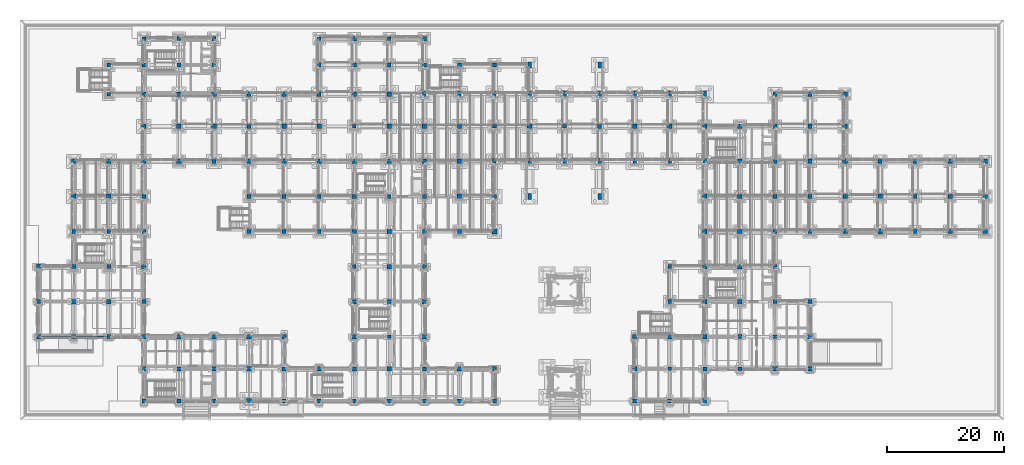
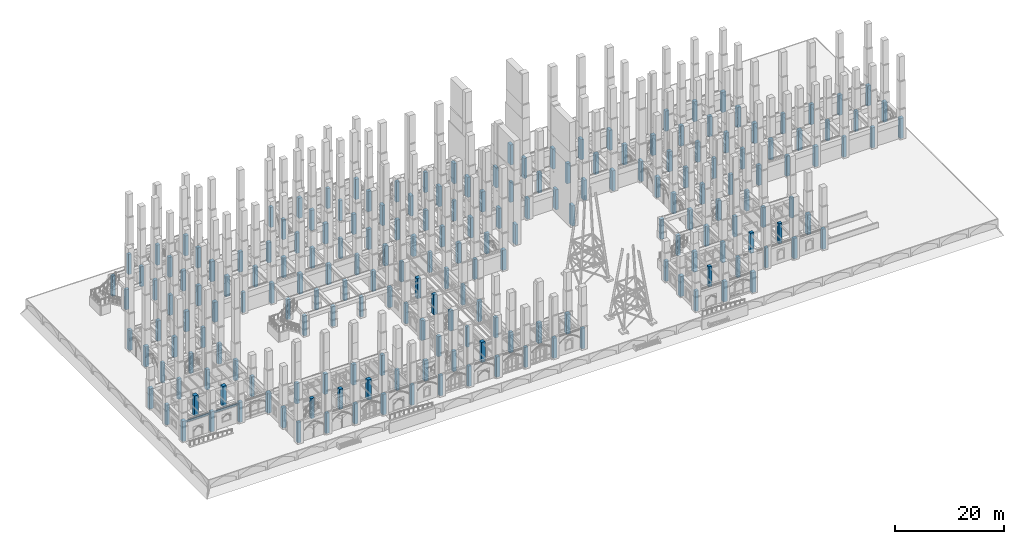
# One storey, part 15 of 135: 201 columns, 2 beams.
"""IFC4 building model written with IfcOpenShell, lengths in metres."""

from ifc_helpers import new_model, si_unit, direction, frame, origin, origin_2d, place, context, subcontext, project, spatial, rectangle, i_section, extrude, material, material_profile, profile_set, type_object, element, save


model = new_model("IFC4")

# Units and contexts
model_context = context("Model", 3, precision=1e-05, world=origin(), true_north=direction((0.0, 1.0)))
body_context = subcontext(model_context, "Body", "Model", "MODEL_VIEW")
ifc_project = project(units=[si_unit("LENGTHUNIT", "METRE"), si_unit("AREAUNIT", "SQUARE_METRE"), si_unit("VOLUMEUNIT", "CUBIC_METRE"), si_unit("PLANEANGLEUNIT", "RADIAN"), si_unit("MASSUNIT", "GRAM", prefix="KILO")], contexts=[model_context])

# Site, building, storey
site_placement = place(None, origin())
site = spatial("IfcSite", under=ifc_project, at=site_placement, CompositionType="ELEMENT")
building_placement = place(site_placement, origin())
building = spatial("IfcBuilding", under=site, at=building_placement, Name="Cumevento Cable Car Station", CompositionType="ELEMENT")
storey_placement = place(building_placement, origin())
storey = spatial("IfcBuildingStorey", under=building, at=storey_placement, Name="L01", CompositionType="ELEMENT", Elevation=0.0)

# Columns
ifc_material_1 = material(Name="Concrete C40/50", Category="concrete")
ifc_material_profile_1 = material_profile(ifc_material_1, rectangle(XDim=0.60009765625, YDim=1.050048828125, at=origin_2d()), Name="RC600x1050")
ifc_profile_set_1 = profile_set([ifc_material_profile_1], Name="Concrete C40/50")
column_type_1 = type_object("IfcColumnType", Name="Buttress Pilaster P-BT1050 RC600x1050", PredefinedType="PILASTER", material=ifc_profile_set_1)
for number, where, z_axis, x_axis, name in (
    (1, (70.0, 56.5, 0.0), (0.0, 0.0, 1.0), (1.0, 0.0, 0.0), "Column P-BT1050 L01 (70.0,56.5)"),
    (2, (76.0, 56.5, 0.0), (0.0, 0.0, 1.0), (1.0, 0.0, 0.0), "Column P-BT1050 L01 (76.0,56.5)"),
    (3, (82.0, 45.0, 0.0), (0.0, 0.0, 1.0), (1.0, 0.0, 0.0), "Column P-BT1050 L01 (82.0,45.0)"),
    (4, (82.0, 56.5, 0.0), (0.0, 0.0, 1.0), (1.0, 0.0, 0.0), "Column P-BT1050 L01 (82.0,56.5)"),
    (5, (88.0, 45.0, 0.0), (0.0, 0.0, 1.0), (1.0, 0.0, 0.0), "Column P-BT1050 L01 (88.0,45.0)"),
    (6, (88.0, 56.5, 0.0), (0.0, 0.0, 1.0), (1.0, 0.0, 0.0), "Column P-BT1050 L01 (88.0,56.5)"),
    (7, (94.0, 45.0, 0.0), (0.0, 0.0, 1.0), (1.0, 0.0, 0.0), "Column P-BT1050 L01 (94.0,45.0)"),
    (8, (94.0, 56.5, 0.0), (0.0, 0.0, 1.0), (1.0, 0.0, 0.0), "Column P-BT1050 L01 (94.0,56.5)"),
    (9, (100.0, 45.0, 0.0), (0.0, 0.0, 1.0), (1.0, 0.0, 0.0), "Column P-BT1050 L01 (100.0,45.0)"),
    (10, (100.0, 56.5, 0.0), (0.0, 0.0, 1.0), (1.0, 0.0, 0.0), "Column P-BT1050 L01 (100.0,56.5)"),
    (11, (106.0, 45.0, 0.0), (0.0, 0.0, 1.0), (1.0, 0.0, 0.0), "Column P-BT1050 L01 (106.0,45.0)"),
    (12, (106.0, 56.5, 0.0), (0.0, 0.0, 1.0), (1.0, 0.0, 0.0), "Column P-BT1050 L01 (106.0,56.5)"),
    (13, (112.0, 45.0, 0.0), (0.0, 0.0, 1.0), (1.0, 0.0, 0.0), "Column P-BT1050 L01 (112.0,45.0)"),
    (14, (112.0, 56.5, 0.0), (0.0, 0.0, 1.0), (1.0, 0.0, 0.0), "Column P-BT1050 L01 (112.0,56.5)"),
    (15, (118.0, 45.0, 0.0), (0.0, 0.0, 1.0), (1.0, 0.0, 0.0), "Column P-BT1050 L01 (118.0,45.0)"),
    (16, (118.0, 56.5, 0.0), (0.0, 0.0, 1.0), (1.0, 0.0, 0.0), "Column P-BT1050 L01 (118.0,56.5)"),
    (17, (88.0, 61.5, 0.0), (0.0, 0.0, 1.0), (1.0, 0.0, 0.0), "Portal/Terrace Column P-BT1050 L01 (88.0,61.5)"),
    (18, (100.0, 61.5, 0.0), (0.0, 0.0, 1.0), (1.0, 0.0, 0.0), "Portal/Terrace Column P-BT1050 L01 (100.0,61.5)"),
    (19, (88.0, 39.0, 0.0), (0.0, 0.0, 1.0), (1.0, 0.0, 0.0), "Portal/Terrace Column P-BT1050 L01 (88.0,39.0)"),
    (20, (100.0, 39.0, 0.0), (0.0, 0.0, 1.0), (1.0, 0.0, 0.0), "Portal/Terrace Column P-BT1050 L01 (100.0,39.0)"),
):
    element("IfcColumn", number, at=place(storey_placement, frame(where, z_axis=z_axis, x_axis=x_axis)), inside=storey, type_object=column_type_1, Name=name, PredefinedType="PILASTER", context=body_context, shape_type="SweptSolid", body=[
        extrude(rectangle(XDim=0.60009765625, YDim=1.050048828125, at=origin_2d()), origin(), (0.0, 0.0, 1.0), 4.5),
    ])
ifc_material_2 = material(Name="Concrete C40/50", Category="concrete")
ifc_material_profile_2 = material_profile(ifc_material_2, rectangle(XDim=0.64990234375, YDim=0.64990234375, at=origin_2d()), Name="RC650x650")
ifc_profile_set_2 = profile_set([ifc_material_profile_2], Name="Concrete C40/50")
column_type_2 = type_object("IfcColumnType", Name="Column C-RC650 RC650x650", PredefinedType="COLUMN", material=ifc_profile_set_2)
for number, where, z_axis, x_axis, name in (
    (21, (10.0, 33.0, 0.0), (0.0, 0.0, 1.0), (1.0, 0.0, 0.0), "Column C-RC650 L01 (10.0,33.0)"),
    (22, (16.0, 33.0, 0.0), (0.0, 0.0, 1.0), (1.0, 0.0, 0.0), "Column C-RC650 L01 (16.0,33.0)"),
    (23, (22.0, 21.0, 0.0), (0.0, 0.0, 1.0), (1.0, 0.0, 0.0), "Column C-RC650 L01 (22.0,21.0)"),
    (24, (22.0, 39.0, 0.0), (0.0, 0.0, 1.0), (1.0, 0.0, 0.0), "Column C-RC650 L01 (22.0,39.0)"),
    (25, (22.0, 61.5, 0.0), (0.0, 0.0, 1.0), (1.0, 0.0, 0.0), "Column C-RC650 L01 (22.0,61.5)"),
    (26, (22.0, 66.0, 0.0), (0.0, 0.0, 1.0), (1.0, 0.0, 0.0), "Column C-RC650 L01 (22.0,66.0)"),
    (27, (28.0, 4.0, 0.0), (0.0, 0.0, 1.0), (1.0, 0.0, 0.0), "Column C-RC650 L01 (28.0,4.0)"),
    (28, (34.0, 45.0, 0.0), (0.0, 0.0, 1.0), (1.0, 0.0, 0.0), "Column C-RC650 L01 (34.0,45.0)"),
    (29, (46.0, 4.0, 0.0), (0.0, 0.0, 1.0), (1.0, 0.0, 0.0), "Column C-RC650 L01 (46.0,4.0)"),
    (30, (52.0, 61.5, 0.0), (0.0, 0.0, 1.0), (1.0, 0.0, 0.0), "Column C-RC650 L01 (52.0,61.5)"),
    (31, (52.0, 66.0, 0.0), (0.0, 0.0, 1.0), (1.0, 0.0, 0.0), "Column C-RC650 L01 (52.0,66.0)"),
    (32, (58.0, 4.0, 0.0), (0.0, 0.0, 1.0), (1.0, 0.0, 0.0), "Column C-RC650 L01 (58.0,4.0)"),
    (33, (58.0, 27.0, 0.0), (0.0, 0.0, 1.0), (1.0, 0.0, 0.0), "Column C-RC650 L01 (58.0,27.0)"),
    (34, (58.0, 51.0, 0.0), (0.0, 0.0, 1.0), (1.0, 0.0, 0.0), "Column C-RC650 L01 (58.0,51.0)"),
    (35, (64.0, 15.0, 0.0), (0.0, 0.0, 1.0), (1.0, 0.0, 0.0), "Column C-RC650 L01 (64.0,15.0)"),
    (36, (64.0, 39.0, 0.0), (0.0, 0.0, 1.0), (1.0, 0.0, 0.0), "Column C-RC650 L01 (64.0,39.0)"),
    (37, (64.0, 61.5, 0.0), (0.0, 0.0, 1.0), (1.0, 0.0, 0.0), "Column C-RC650 L01 (64.0,61.5)"),
    (38, (64.0, 66.0, 0.0), (0.0, 0.0, 1.0), (1.0, 0.0, 0.0), "Column C-RC650 L01 (64.0,66.0)"),
    (39, (70.0, 4.0, 0.0), (0.0, 0.0, 1.0), (1.0, 0.0, 0.0), "Column C-RC650 L01 (70.0,4.0)"),
    (40, (70.0, 27.0, 0.0), (0.0, 0.0, 1.0), (1.0, 0.0, 0.0), "Column C-RC650 L01 (70.0,27.0)"),
    (41, (70.0, 39.0, 0.0), (0.0, 0.0, 1.0), (1.0, 0.0, 0.0), "Column C-RC650 L01 (70.0,39.0)"),
    (42, (76.0, 33.0, 0.0), (0.0, 0.0, 1.0), (1.0, 0.0, 0.0), "Column C-RC650 L01 (76.0,33.0)"),
    (43, (82.0, 51.0, 0.0), (0.0, 0.0, 1.0), (1.0, 0.0, 0.0), "Column C-RC650 L01 (82.0,51.0)"),
    (44, (94.0, 51.0, 0.0), (0.0, 0.0, 1.0), (1.0, 0.0, 0.0), "Column C-RC650 L01 (94.0,51.0)"),
    (45, (112.0, 9.5, 0.0), (0.0, 0.0, 1.0), (1.0, 0.0, 0.0), "Column C-RC650 L01 (112.0,9.5)"),
    (46, (124.0, 9.5, 0.0), (0.0, 0.0, 1.0), (1.0, 0.0, 0.0), "Column C-RC650 L01 (124.0,9.5)"),
    (47, (130.0, 15.0, 0.0), (0.0, 0.0, 1.0), (1.0, 0.0, 0.0), "Column C-RC650 L01 (130.0,15.0)"),
    (48, (136.0, 21.0, 0.0), (0.0, 0.0, 1.0), (1.0, 0.0, 0.0), "Column C-RC650 L01 (136.0,21.0)"),
    (49, (148.0, 45.0, 0.0), (0.0, 0.0, 1.0), (1.0, 0.0, 0.0), "Column C-RC650 L01 (148.0,45.0)"),
    (50, (154.0, 33.0, 0.0), (0.0, 0.0, 1.0), (1.0, 0.0, 0.0), "Column C-RC650 L01 (154.0,33.0)"),
    (51, (154.0, 39.0, 0.0), (0.0, 0.0, 1.0), (1.0, 0.0, 0.0), "Column C-RC650 L01 (154.0,39.0)"),
    (52, (40.0, 33.0, 0.0), (0.0, 0.0, 1.0), (1.0, 0.0, 0.0), "Portal/Terrace Column C-RC650 L01 (40.0,33.0)"),
    (53, (40.0, 39.0, 0.0), (0.0, 0.0, 1.0), (1.0, 0.0, 0.0), "Portal/Terrace Column C-RC650 L01 (40.0,39.0)"),
    (54, (46.0, 33.0, 0.0), (0.0, 0.0, 1.0), (1.0, 0.0, 0.0), "Portal/Terrace Column C-RC650 L01 (46.0,33.0)"),
    (55, (46.0, 39.0, 0.0), (0.0, 0.0, 1.0), (1.0, 0.0, 0.0), "Portal/Terrace Column C-RC650 L01 (46.0,39.0)"),
    (56, (52.0, 33.0, 0.0), (0.0, 0.0, 1.0), (1.0, 0.0, 0.0), "Portal/Terrace Column C-RC650 L01 (52.0,33.0)"),
    (57, (52.0, 39.0, 0.0), (0.0, 0.0, 1.0), (1.0, 0.0, 0.0), "Portal/Terrace Column C-RC650 L01 (52.0,39.0)"),
    (58, (112.0, 21.0, 0.0), (0.0, 0.0, 1.0), (1.0, 0.0, 0.0), "Portal/Terrace Column C-RC650 L01 (112.0,21.0)"),
    (59, (112.0, 27.0, 0.0), (0.0, 0.0, 1.0), (1.0, 0.0, 0.0), "Portal/Terrace Column C-RC650 L01 (112.0,27.0)"),
    (60, (16.0, 56.5, 0.0), (0.0, 0.0, 1.0), (1.0, 0.0, 0.0), "Portal/Terrace Column C-RC650 L01 (16.0,56.5)"),
    (61, (16.0, 61.5, 0.0), (0.0, 0.0, 1.0), (1.0, 0.0, 0.0), "Portal/Terrace Column C-RC650 L01 (16.0,61.5)"),
    (62, (76.0, 61.5, 0.0), (0.0, 0.0, 1.0), (1.0, 0.0, 0.0), "Portal/Terrace Column C-RC650 L01 (76.0,61.5)"),
    (63, (82.0, 61.5, 0.0), (0.0, 0.0, 1.0), (1.0, 0.0, 0.0), "Portal/Terrace Column C-RC650 L01 (82.0,61.5)"),
):
    element("IfcColumn", number, at=place(storey_placement, frame(where, z_axis=z_axis, x_axis=x_axis)), inside=storey, type_object=column_type_2, Name=name, PredefinedType="COLUMN", context=body_context, shape_type="SweptSolid", body=[
        extrude(rectangle(XDim=0.64990234375, YDim=0.64990234375, at=origin_2d()), origin(), (0.0, 0.0, 1.0), 4.5),
    ])
ifc_material_3 = material(Name="Concrete C40/50", Category="concrete")
ifc_material_profile_3 = material_profile(ifc_material_3, rectangle(XDim=0.699951171875, YDim=0.699951171875, at=origin_2d()), Name="RC700x700")
ifc_profile_set_3 = profile_set([ifc_material_profile_3], Name="Concrete C40/50")
column_type_3 = type_object("IfcColumnType", Name="Column C-RC700 RC700x700", PredefinedType="COLUMN", material=ifc_profile_set_3)
for number, where, z_axis, x_axis, name in (
    (64, (4.0, 21.0, 0.0), (0.0, 0.0, 1.0), (1.0, 0.0, 0.0), "Column C-RC700 L01 (4.0,21.0)"),
    (65, (10.0, 15.0, 0.0), (0.0, 0.0, 1.0), (1.0, 0.0, 0.0), "Column C-RC700 L01 (10.0,15.0)"),
    (66, (10.0, 27.0, 0.0), (0.0, 0.0, 1.0), (1.0, 0.0, 0.0), "Column C-RC700 L01 (10.0,27.0)"),
    (67, (16.0, 15.0, 0.0), (0.0, 0.0, 1.0), (1.0, 0.0, 0.0), "Column C-RC700 L01 (16.0,15.0)"),
    (68, (16.0, 27.0, 0.0), (0.0, 0.0, 1.0), (1.0, 0.0, 0.0), "Column C-RC700 L01 (16.0,27.0)"),
    (69, (22.0, 4.0, 0.0), (0.0, 0.0, 1.0), (1.0, 0.0, 0.0), "Column C-RC700 L01 (22.0,4.0)"),
    (70, (22.0, 33.0, 0.0), (0.0, 0.0, 1.0), (1.0, 0.0, 0.0), "Column C-RC700 L01 (22.0,33.0)"),
    (71, (22.0, 56.5, 0.0), (0.0, 0.0, 1.0), (1.0, 0.0, 0.0), "Column C-RC700 L01 (22.0,56.5)"),
    (72, (28.0, 9.5, 0.0), (0.0, 0.0, 1.0), (1.0, 0.0, 0.0), "Column C-RC700 L01 (28.0,9.5)"),
    (73, (28.0, 61.5, 0.0), (0.0, 0.0, 1.0), (1.0, 0.0, 0.0), "Column C-RC700 L01 (28.0,61.5)"),
    (74, (28.0, 66.0, 0.0), (0.0, 0.0, 1.0), (1.0, 0.0, 0.0), "Column C-RC700 L01 (28.0,66.0)"),
    (75, (34.0, 4.0, 0.0), (0.0, 0.0, 1.0), (1.0, 0.0, 0.0), "Column C-RC700 L01 (34.0,4.0)"),
    (76, (40.0, 51.0, 0.0), (0.0, 0.0, 1.0), (1.0, 0.0, 0.0), "Column C-RC700 L01 (40.0,51.0)"),
    (77, (40.0, 56.5, 0.0), (0.0, 0.0, 1.0), (1.0, 0.0, 0.0), "Column C-RC700 L01 (40.0,56.5)"),
    (78, (46.0, 9.5, 0.0), (0.0, 0.0, 1.0), (1.0, 0.0, 0.0), "Column C-RC700 L01 (46.0,9.5)"),
    (79, (52.0, 4.0, 0.0), (0.0, 0.0, 1.0), (1.0, 0.0, 0.0), "Column C-RC700 L01 (52.0,4.0)"),
    (80, (52.0, 56.5, 0.0), (0.0, 0.0, 1.0), (1.0, 0.0, 0.0), "Column C-RC700 L01 (52.0,56.5)"),
    (81, (58.0, 9.5, 0.0), (0.0, 0.0, 1.0), (1.0, 0.0, 0.0), "Column C-RC700 L01 (58.0,9.5)"),
    (82, (58.0, 33.0, 0.0), (0.0, 0.0, 1.0), (1.0, 0.0, 0.0), "Column C-RC700 L01 (58.0,33.0)"),
    (83, (58.0, 45.0, 0.0), (0.0, 0.0, 1.0), (1.0, 0.0, 0.0), "Column C-RC700 L01 (58.0,45.0)"),
    (84, (64.0, 21.0, 0.0), (0.0, 0.0, 1.0), (1.0, 0.0, 0.0), "Column C-RC700 L01 (64.0,21.0)"),
    (85, (64.0, 56.5, 0.0), (0.0, 0.0, 1.0), (1.0, 0.0, 0.0), "Column C-RC700 L01 (64.0,56.5)"),
    (86, (70.0, 9.5, 0.0), (0.0, 0.0, 1.0), (1.0, 0.0, 0.0), "Column C-RC700 L01 (70.0,9.5)"),
    (87, (70.0, 33.0, 0.0), (0.0, 0.0, 1.0), (1.0, 0.0, 0.0), "Column C-RC700 L01 (70.0,33.0)"),
    (88, (76.0, 51.0, 0.0), (0.0, 0.0, 1.0), (1.0, 0.0, 0.0), "Column C-RC700 L01 (76.0,51.0)"),
    (89, (82.0, 4.0, 0.0), (0.0, 0.0, 1.0), (1.0, 0.0, 0.0), "Column C-RC700 L01 (82.0,4.0)"),
    (90, (100.0, 51.0, 0.0), (0.0, 0.0, 1.0), (1.0, 0.0, 0.0), "Column C-RC700 L01 (100.0,51.0)"),
    (91, (106.0, 4.0, 0.0), (0.0, 0.0, 1.0), (1.0, 0.0, 0.0), "Column C-RC700 L01 (106.0,4.0)"),
    (92, (106.0, 15.0, 0.0), (0.0, 0.0, 1.0), (1.0, 0.0, 0.0), "Column C-RC700 L01 (106.0,15.0)"),
    (93, (118.0, 9.5, 0.0), (0.0, 0.0, 1.0), (1.0, 0.0, 0.0), "Column C-RC700 L01 (118.0,9.5)"),
    (94, (124.0, 15.0, 0.0), (0.0, 0.0, 1.0), (1.0, 0.0, 0.0), "Column C-RC700 L01 (124.0,15.0)"),
    (95, (130.0, 21.0, 0.0), (0.0, 0.0, 1.0), (1.0, 0.0, 0.0), "Column C-RC700 L01 (130.0,21.0)"),
    (96, (130.0, 27.0, 0.0), (0.0, 0.0, 1.0), (1.0, 0.0, 0.0), "Column C-RC700 L01 (130.0,27.0)"),
    (97, (130.0, 33.0, 0.0), (0.0, 0.0, 1.0), (1.0, 0.0, 0.0), "Column C-RC700 L01 (130.0,33.0)"),
    (98, (130.0, 39.0, 0.0), (0.0, 0.0, 1.0), (1.0, 0.0, 0.0), "Column C-RC700 L01 (130.0,39.0)"),
    (99, (136.0, 33.0, 0.0), (0.0, 0.0, 1.0), (1.0, 0.0, 0.0), "Column C-RC700 L01 (136.0,33.0)"),
    (100, (136.0, 39.0, 0.0), (0.0, 0.0, 1.0), (1.0, 0.0, 0.0), "Column C-RC700 L01 (136.0,39.0)"),
    (101, (154.0, 45.0, 0.0), (0.0, 0.0, 1.0), (1.0, 0.0, 0.0), "Column C-RC700 L01 (154.0,45.0)"),
    (102, (160.0, 33.0, 0.0), (0.0, 0.0, 1.0), (1.0, 0.0, 0.0), "Column C-RC700 L01 (160.0,33.0)"),
    (103, (160.0, 39.0, 0.0), (0.0, 0.0, 1.0), (1.0, 0.0, 0.0), "Column C-RC700 L01 (160.0,39.0)"),
):
    element("IfcColumn", number, at=place(storey_placement, frame(where, z_axis=z_axis, x_axis=x_axis)), inside=storey, type_object=column_type_3, Name=name, PredefinedType="COLUMN", context=body_context, shape_type="SweptSolid", body=[
        extrude(rectangle(XDim=0.699951171875, YDim=0.699951171875, at=origin_2d()), origin(), (0.0, 0.0, 1.0), 4.5),
    ])
ifc_material_4 = material(Name="Concrete C40/50", Category="concrete")
ifc_material_profile_4 = material_profile(ifc_material_4, rectangle(XDim=0.75, YDim=0.75, at=origin_2d()), Name="RC750x750")
ifc_profile_set_4 = profile_set([ifc_material_profile_4], Name="Concrete C40/50")
column_type_4 = type_object("IfcColumnType", Name="Column C-RC750 RC750x750", PredefinedType="COLUMN", material=ifc_profile_set_4)
for number, where, z_axis, x_axis, name in (
    (104, (10.0, 45.0, 0.0), (0.0, 0.0, 1.0), (1.0, 0.0, 0.0), "Column C-RC750 L01 (10.0,45.0)"),
    (105, (16.0, 45.0, 0.0), (0.0, 0.0, 1.0), (1.0, 0.0, 0.0), "Column C-RC750 L01 (16.0,45.0)"),
    (106, (22.0, 9.5, 0.0), (0.0, 0.0, 1.0), (1.0, 0.0, 0.0), "Column C-RC750 L01 (22.0,9.5)"),
    (107, (22.0, 27.0, 0.0), (0.0, 0.0, 1.0), (1.0, 0.0, 0.0), "Column C-RC750 L01 (22.0,27.0)"),
    (108, (22.0, 51.0, 0.0), (0.0, 0.0, 1.0), (1.0, 0.0, 0.0), "Column C-RC750 L01 (22.0,51.0)"),
    (109, (28.0, 15.0, 0.0), (0.0, 0.0, 1.0), (1.0, 0.0, 0.0), "Column C-RC750 L01 (28.0,15.0)"),
    (110, (28.0, 51.0, 0.0), (0.0, 0.0, 1.0), (1.0, 0.0, 0.0), "Column C-RC750 L01 (28.0,51.0)"),
    (111, (28.0, 56.5, 0.0), (0.0, 0.0, 1.0), (1.0, 0.0, 0.0), "Column C-RC750 L01 (28.0,56.5)"),
    (112, (34.0, 9.5, 0.0), (0.0, 0.0, 1.0), (1.0, 0.0, 0.0), "Column C-RC750 L01 (34.0,9.5)"),
    (113, (34.0, 61.5, 0.0), (0.0, 0.0, 1.0), (1.0, 0.0, 0.0), "Column C-RC750 L01 (34.0,61.5)"),
    (114, (34.0, 66.0, 0.0), (0.0, 0.0, 1.0), (1.0, 0.0, 0.0), "Column C-RC750 L01 (34.0,66.0)"),
    (115, (40.0, 45.0, 0.0), (0.0, 0.0, 1.0), (1.0, 0.0, 0.0), "Column C-RC750 L01 (40.0,45.0)"),
    (116, (46.0, 15.0, 0.0), (0.0, 0.0, 1.0), (1.0, 0.0, 0.0), "Column C-RC750 L01 (46.0,15.0)"),
    (117, (46.0, 51.0, 0.0), (0.0, 0.0, 1.0), (1.0, 0.0, 0.0), "Column C-RC750 L01 (46.0,51.0)"),
    (118, (46.0, 56.5, 0.0), (0.0, 0.0, 1.0), (1.0, 0.0, 0.0), "Column C-RC750 L01 (46.0,56.5)"),
    (119, (52.0, 9.5, 0.0), (0.0, 0.0, 1.0), (1.0, 0.0, 0.0), "Column C-RC750 L01 (52.0,9.5)"),
    (120, (52.0, 51.0, 0.0), (0.0, 0.0, 1.0), (1.0, 0.0, 0.0), "Column C-RC750 L01 (52.0,51.0)"),
    (121, (58.0, 15.0, 0.0), (0.0, 0.0, 1.0), (1.0, 0.0, 0.0), "Column C-RC750 L01 (58.0,15.0)"),
    (122, (58.0, 39.0, 0.0), (0.0, 0.0, 1.0), (1.0, 0.0, 0.0), "Column C-RC750 L01 (58.0,39.0)"),
    (123, (58.0, 61.5, 0.0), (0.0, 0.0, 1.0), (1.0, 0.0, 0.0), "Column C-RC750 L01 (58.0,61.5)"),
    (124, (58.0, 66.0, 0.0), (0.0, 0.0, 1.0), (1.0, 0.0, 0.0), "Column C-RC750 L01 (58.0,66.0)"),
    (125, (64.0, 4.0, 0.0), (0.0, 0.0, 1.0), (1.0, 0.0, 0.0), "Column C-RC750 L01 (64.0,4.0)"),
    (126, (64.0, 27.0, 0.0), (0.0, 0.0, 1.0), (1.0, 0.0, 0.0), "Column C-RC750 L01 (64.0,27.0)"),
    (127, (64.0, 51.0, 0.0), (0.0, 0.0, 1.0), (1.0, 0.0, 0.0), "Column C-RC750 L01 (64.0,51.0)"),
    (128, (70.0, 15.0, 0.0), (0.0, 0.0, 1.0), (1.0, 0.0, 0.0), "Column C-RC750 L01 (70.0,15.0)"),
    (129, (70.0, 51.0, 0.0), (0.0, 0.0, 1.0), (1.0, 0.0, 0.0), "Column C-RC750 L01 (70.0,51.0)"),
    (130, (70.0, 61.5, 0.0), (0.0, 0.0, 1.0), (1.0, 0.0, 0.0), "Column C-RC750 L01 (70.0,61.5)"),
    (131, (70.0, 66.0, 0.0), (0.0, 0.0, 1.0), (1.0, 0.0, 0.0), "Column C-RC750 L01 (70.0,66.0)"),
    (132, (76.0, 4.0, 0.0), (0.0, 0.0, 1.0), (1.0, 0.0, 0.0), "Column C-RC750 L01 (76.0,4.0)"),
    (133, (76.0, 45.0, 0.0), (0.0, 0.0, 1.0), (1.0, 0.0, 0.0), "Column C-RC750 L01 (76.0,45.0)"),
    (134, (82.0, 9.5, 0.0), (0.0, 0.0, 1.0), (1.0, 0.0, 0.0), "Column C-RC750 L01 (82.0,9.5)"),
    (135, (82.0, 39.0, 0.0), (0.0, 0.0, 1.0), (1.0, 0.0, 0.0), "Column C-RC750 L01 (82.0,39.0)"),
    (136, (106.0, 51.0, 0.0), (0.0, 0.0, 1.0), (1.0, 0.0, 0.0), "Column C-RC750 L01 (106.0,51.0)"),
    (137, (112.0, 4.0, 0.0), (0.0, 0.0, 1.0), (1.0, 0.0, 0.0), "Column C-RC750 L01 (112.0,4.0)"),
    (138, (112.0, 15.0, 0.0), (0.0, 0.0, 1.0), (1.0, 0.0, 0.0), "Column C-RC750 L01 (112.0,15.0)"),
    (139, (118.0, 15.0, 0.0), (0.0, 0.0, 1.0), (1.0, 0.0, 0.0), "Column C-RC750 L01 (118.0,15.0)"),
    (140, (118.0, 51.0, 0.0), (0.0, 0.0, 1.0), (1.0, 0.0, 0.0), "Column C-RC750 L01 (118.0,51.0)"),
    (141, (124.0, 21.0, 0.0), (0.0, 0.0, 1.0), (1.0, 0.0, 0.0), "Column C-RC750 L01 (124.0,21.0)"),
    (142, (124.0, 27.0, 0.0), (0.0, 0.0, 1.0), (1.0, 0.0, 0.0), "Column C-RC750 L01 (124.0,27.0)"),
    (143, (124.0, 33.0, 0.0), (0.0, 0.0, 1.0), (1.0, 0.0, 0.0), "Column C-RC750 L01 (124.0,33.0)"),
    (144, (124.0, 39.0, 0.0), (0.0, 0.0, 1.0), (1.0, 0.0, 0.0), "Column C-RC750 L01 (124.0,39.0)"),
    (145, (130.0, 45.0, 0.0), (0.0, 0.0, 1.0), (1.0, 0.0, 0.0), "Column C-RC750 L01 (130.0,45.0)"),
    (146, (130.0, 51.0, 0.0), (0.0, 0.0, 1.0), (1.0, 0.0, 0.0), "Column C-RC750 L01 (130.0,51.0)"),
    (147, (130.0, 56.5, 0.0), (0.0, 0.0, 1.0), (1.0, 0.0, 0.0), "Column C-RC750 L01 (130.0,56.5)"),
    (148, (136.0, 9.5, 0.0), (0.0, 0.0, 1.0), (1.0, 0.0, 0.0), "Column C-RC750 L01 (136.0,9.5)"),
    (149, (136.0, 45.0, 0.0), (0.0, 0.0, 1.0), (1.0, 0.0, 0.0), "Column C-RC750 L01 (136.0,45.0)"),
    (150, (136.0, 51.0, 0.0), (0.0, 0.0, 1.0), (1.0, 0.0, 0.0), "Column C-RC750 L01 (136.0,51.0)"),
    (151, (136.0, 56.5, 0.0), (0.0, 0.0, 1.0), (1.0, 0.0, 0.0), "Column C-RC750 L01 (136.0,56.5)"),
    (152, (142.0, 33.0, 0.0), (0.0, 0.0, 1.0), (1.0, 0.0, 0.0), "Column C-RC750 L01 (142.0,33.0)"),
    (153, (142.0, 39.0, 0.0), (0.0, 0.0, 1.0), (1.0, 0.0, 0.0), "Column C-RC750 L01 (142.0,39.0)"),
    (154, (160.0, 45.0, 0.0), (0.0, 0.0, 1.0), (1.0, 0.0, 0.0), "Column C-RC750 L01 (160.0,45.0)"),
    (155, (166.0, 33.0, 0.0), (0.0, 0.0, 1.0), (1.0, 0.0, 0.0), "Column C-RC750 L01 (166.0,33.0)"),
    (156, (166.0, 39.0, 0.0), (0.0, 0.0, 1.0), (1.0, 0.0, 0.0), "Column C-RC750 L01 (166.0,39.0)"),
    (157, (166.0, 45.0, 0.0), (0.0, 0.0, 1.0), (1.0, 0.0, 0.0), "Column C-RC750 L01 (166.0,45.0)"),
):
    element("IfcColumn", number, at=place(storey_placement, frame(where, z_axis=z_axis, x_axis=x_axis)), inside=storey, type_object=column_type_4, Name=name, PredefinedType="COLUMN", context=body_context, shape_type="SweptSolid", body=[
        extrude(rectangle(XDim=0.75, YDim=0.75, at=origin_2d()), origin(), (0.0, 0.0, 1.0), 4.5),
    ])
ifc_material_5 = material(Name="Concrete C40/50", Category="concrete")
ifc_material_profile_5 = material_profile(ifc_material_5, rectangle(XDim=0.800048828125, YDim=0.800048828125, at=origin_2d()), Name="RC800x800")
ifc_profile_set_5 = profile_set([ifc_material_profile_5], Name="Concrete C40/50")
column_type_5 = type_object("IfcColumnType", Name="Column C-RC800 RC800x800", PredefinedType="COLUMN", material=ifc_profile_set_5)
for number, where, z_axis, x_axis, name in (
    (158, (4.0, 15.0, 0.0), (0.0, 0.0, 1.0), (1.0, 0.0, 0.0), "Column C-RC800 L01 (4.0,15.0)"),
    (159, (4.0, 27.0, 0.0), (0.0, 0.0, 1.0), (1.0, 0.0, 0.0), "Column C-RC800 L01 (4.0,27.0)"),
    (160, (10.0, 21.0, 0.0), (0.0, 0.0, 1.0), (1.0, 0.0, 0.0), "Column C-RC800 L01 (10.0,21.0)"),
    (161, (10.0, 39.0, 0.0), (0.0, 0.0, 1.0), (1.0, 0.0, 0.0), "Column C-RC800 L01 (10.0,39.0)"),
    (162, (16.0, 21.0, 0.0), (0.0, 0.0, 1.0), (1.0, 0.0, 0.0), "Column C-RC800 L01 (16.0,21.0)"),
    (163, (16.0, 39.0, 0.0), (0.0, 0.0, 1.0), (1.0, 0.0, 0.0), "Column C-RC800 L01 (16.0,39.0)"),
    (164, (22.0, 15.0, 0.0), (0.0, 0.0, 1.0), (1.0, 0.0, 0.0), "Column C-RC800 L01 (22.0,15.0)"),
    (165, (22.0, 45.0, 0.0), (0.0, 0.0, 1.0), (1.0, 0.0, 0.0), "Column C-RC800 L01 (22.0,45.0)"),
    (166, (28.0, 45.0, 0.0), (0.0, 0.0, 1.0), (1.0, 0.0, 0.0), "Column C-RC800 L01 (28.0,45.0)"),
    (167, (34.0, 15.0, 0.0), (0.0, 0.0, 1.0), (1.0, 0.0, 0.0), "Column C-RC800 L01 (34.0,15.0)"),
    (168, (34.0, 51.0, 0.0), (0.0, 0.0, 1.0), (1.0, 0.0, 0.0), "Column C-RC800 L01 (34.0,51.0)"),
    (169, (34.0, 56.5, 0.0), (0.0, 0.0, 1.0), (1.0, 0.0, 0.0), "Column C-RC800 L01 (34.0,56.5)"),
    (170, (40.0, 4.0, 0.0), (0.0, 0.0, 1.0), (1.0, 0.0, 0.0), "Column C-RC800 L01 (40.0,4.0)"),
    (171, (40.0, 9.5, 0.0), (0.0, 0.0, 1.0), (1.0, 0.0, 0.0), "Column C-RC800 L01 (40.0,9.5)"),
    (172, (40.0, 15.0, 0.0), (0.0, 0.0, 1.0), (1.0, 0.0, 0.0), "Column C-RC800 L01 (40.0,15.0)"),
    (173, (46.0, 45.0, 0.0), (0.0, 0.0, 1.0), (1.0, 0.0, 0.0), "Column C-RC800 L01 (46.0,45.0)"),
    (174, (52.0, 45.0, 0.0), (0.0, 0.0, 1.0), (1.0, 0.0, 0.0), "Column C-RC800 L01 (52.0,45.0)"),
    (175, (58.0, 21.0, 0.0), (0.0, 0.0, 1.0), (1.0, 0.0, 0.0), "Column C-RC800 L01 (58.0,21.0)"),
    (176, (58.0, 56.5, 0.0), (0.0, 0.0, 1.0), (1.0, 0.0, 0.0), "Column C-RC800 L01 (58.0,56.5)"),
    (177, (64.0, 9.5, 0.0), (0.0, 0.0, 1.0), (1.0, 0.0, 0.0), "Column C-RC800 L01 (64.0,9.5)"),
    (178, (64.0, 33.0, 0.0), (0.0, 0.0, 1.0), (1.0, 0.0, 0.0), "Column C-RC800 L01 (64.0,33.0)"),
    (179, (64.0, 45.0, 0.0), (0.0, 0.0, 1.0), (1.0, 0.0, 0.0), "Column C-RC800 L01 (64.0,45.0)"),
    (180, (70.0, 21.0, 0.0), (0.0, 0.0, 1.0), (1.0, 0.0, 0.0), "Column C-RC800 L01 (70.0,21.0)"),
    (181, (70.0, 45.0, 0.0), (0.0, 0.0, 1.0), (1.0, 0.0, 0.0), "Column C-RC800 L01 (70.0,45.0)"),
    (182, (76.0, 9.5, 0.0), (0.0, 0.0, 1.0), (1.0, 0.0, 0.0), "Column C-RC800 L01 (76.0,9.5)"),
    (183, (76.0, 39.0, 0.0), (0.0, 0.0, 1.0), (1.0, 0.0, 0.0), "Column C-RC800 L01 (76.0,39.0)"),
    (184, (82.0, 33.0, 0.0), (0.0, 0.0, 1.0), (1.0, 0.0, 0.0), "Column C-RC800 L01 (82.0,33.0)"),
    (185, (88.0, 51.0, 0.0), (0.0, 0.0, 1.0), (1.0, 0.0, 0.0), "Column C-RC800 L01 (88.0,51.0)"),
    (186, (106.0, 9.5, 0.0), (0.0, 0.0, 1.0), (1.0, 0.0, 0.0), "Column C-RC800 L01 (106.0,9.5)"),
    (187, (112.0, 51.0, 0.0), (0.0, 0.0, 1.0), (1.0, 0.0, 0.0), "Column C-RC800 L01 (112.0,51.0)"),
    (188, (118.0, 4.0, 0.0), (0.0, 0.0, 1.0), (1.0, 0.0, 0.0), "Column C-RC800 L01 (118.0,4.0)"),
    (189, (118.0, 21.0, 0.0), (0.0, 0.0, 1.0), (1.0, 0.0, 0.0), "Column C-RC800 L01 (118.0,21.0)"),
    (190, (118.0, 27.0, 0.0), (0.0, 0.0, 1.0), (1.0, 0.0, 0.0), "Column C-RC800 L01 (118.0,27.0)"),
    (191, (118.0, 33.0, 0.0), (0.0, 0.0, 1.0), (1.0, 0.0, 0.0), "Column C-RC800 L01 (118.0,33.0)"),
    (192, (118.0, 39.0, 0.0), (0.0, 0.0, 1.0), (1.0, 0.0, 0.0), "Column C-RC800 L01 (118.0,39.0)"),
    (193, (124.0, 45.0, 0.0), (0.0, 0.0, 1.0), (1.0, 0.0, 0.0), "Column C-RC800 L01 (124.0,45.0)"),
    (194, (124.0, 51.0, 0.0), (0.0, 0.0, 1.0), (1.0, 0.0, 0.0), "Column C-RC800 L01 (124.0,51.0)"),
    (195, (130.0, 9.5, 0.0), (0.0, 0.0, 1.0), (1.0, 0.0, 0.0), "Column C-RC800 L01 (130.0,9.5)"),
    (196, (136.0, 15.0, 0.0), (0.0, 0.0, 1.0), (1.0, 0.0, 0.0), "Column C-RC800 L01 (136.0,15.0)"),
    (197, (142.0, 45.0, 0.0), (0.0, 0.0, 1.0), (1.0, 0.0, 0.0), "Column C-RC800 L01 (142.0,45.0)"),
    (198, (142.0, 51.0, 0.0), (0.0, 0.0, 1.0), (1.0, 0.0, 0.0), "Column C-RC800 L01 (142.0,51.0)"),
    (199, (142.0, 56.5, 0.0), (0.0, 0.0, 1.0), (1.0, 0.0, 0.0), "Column C-RC800 L01 (142.0,56.5)"),
    (200, (148.0, 33.0, 0.0), (0.0, 0.0, 1.0), (1.0, 0.0, 0.0), "Column C-RC800 L01 (148.0,33.0)"),
    (201, (148.0, 39.0, 0.0), (0.0, 0.0, 1.0), (1.0, 0.0, 0.0), "Column C-RC800 L01 (148.0,39.0)"),
):
    element("IfcColumn", number, at=place(storey_placement, frame(where, z_axis=z_axis, x_axis=x_axis)), inside=storey, type_object=column_type_5, Name=name, PredefinedType="COLUMN", context=body_context, shape_type="SweptSolid", body=[
        extrude(rectangle(XDim=0.800048828125, YDim=0.800048828125, at=origin_2d()), origin(), (0.0, 0.0, 1.0), 4.5),
    ])

# Beams
ifc_material_6 = material(Name="Steel ASTM A572 Grade 50", Category="steel")
ifc_material_profile_6 = material_profile(ifc_material_6, i_section(OverallWidth=0.177978515625, OverallDepth=0.406982421875, WebThickness=0.0078125, FlangeThickness=0.0126953125, at=origin_2d()), Name="W410x60.0")
ifc_profile_set_6 = profile_set([ifc_material_profile_6], Name="Steel ASTM A572 Grade 50")
beam_type = type_object("IfcBeamType", Name="Structural Spandrel SP-01 W410x60.0", PredefinedType="SPANDREL", material=ifc_profile_set_6)
beam_1_placement = place(storey_placement, frame((4.39990234375, 15.0, 4.012451171875), z_axis=(1.0, 0.0, 0.0), x_axis=(0.0, 1.0, 0.0)))
element("IfcBeam", 202, at=beam_1_placement, inside=storey, type_object=beam_type, Name="Beam SP-01 L01 #92", PredefinedType="SPANDREL", context=body_context, shape_type="SweptSolid", body=[
    extrude(i_section(OverallWidth=0.177978515625, OverallDepth=0.406982421875, WebThickness=0.0078125, FlangeThickness=0.0126953125, at=origin_2d()), origin(), (0.0, 0.0, 1.0), 5.25),
])
beam_2_placement = place(storey_placement, frame((10.35009765625, 15.0, 4.012451171875), z_axis=(1.0, 0.0, 0.0), x_axis=(0.0, 1.0, 0.0)))
element("IfcBeam", 203, at=beam_2_placement, inside=storey, type_object=beam_type, Name="Beam SP-01 L01 #93", PredefinedType="SPANDREL", context=body_context, shape_type="SweptSolid", body=[
    extrude(i_section(OverallWidth=0.177978515625, OverallDepth=0.406982421875, WebThickness=0.0078125, FlangeThickness=0.0126953125, at=origin_2d()), origin(), (0.0, 0.0, 1.0), 5.2998046875),
])

save(model, "model.ifc")
